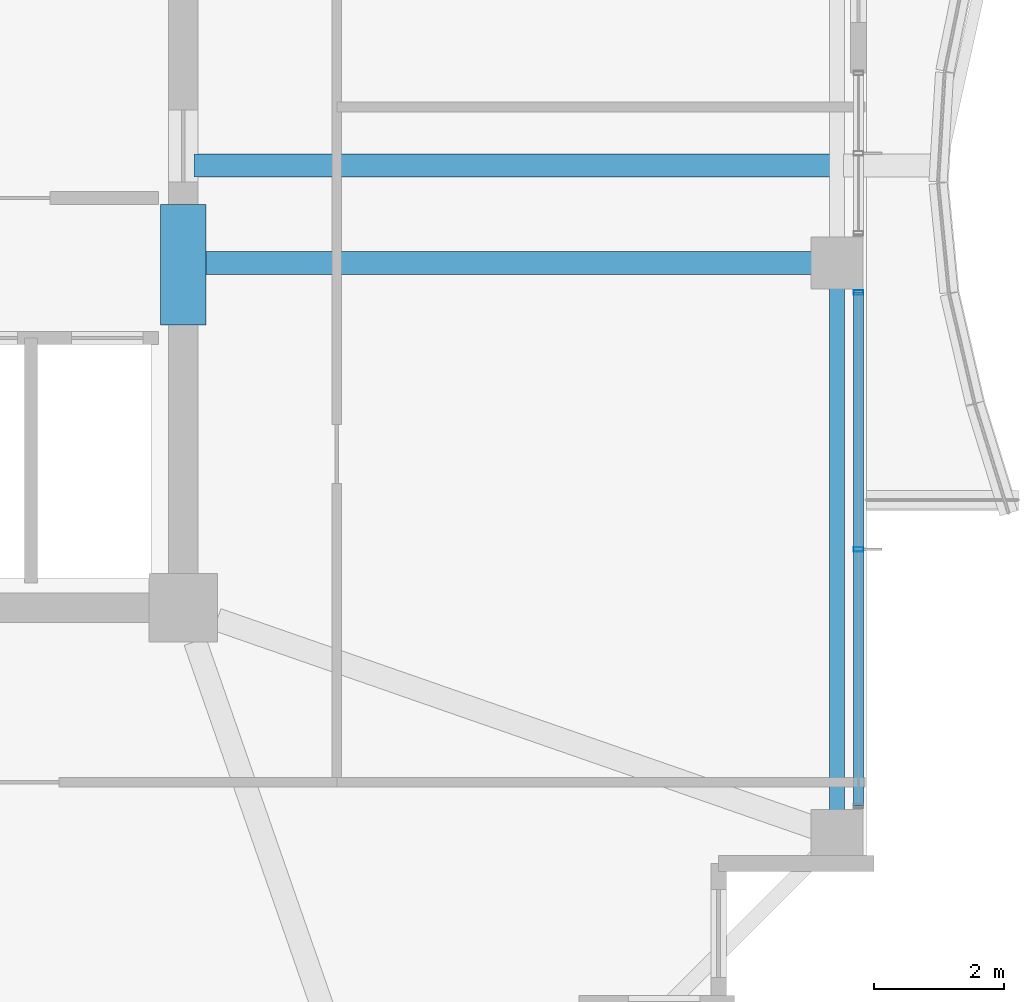
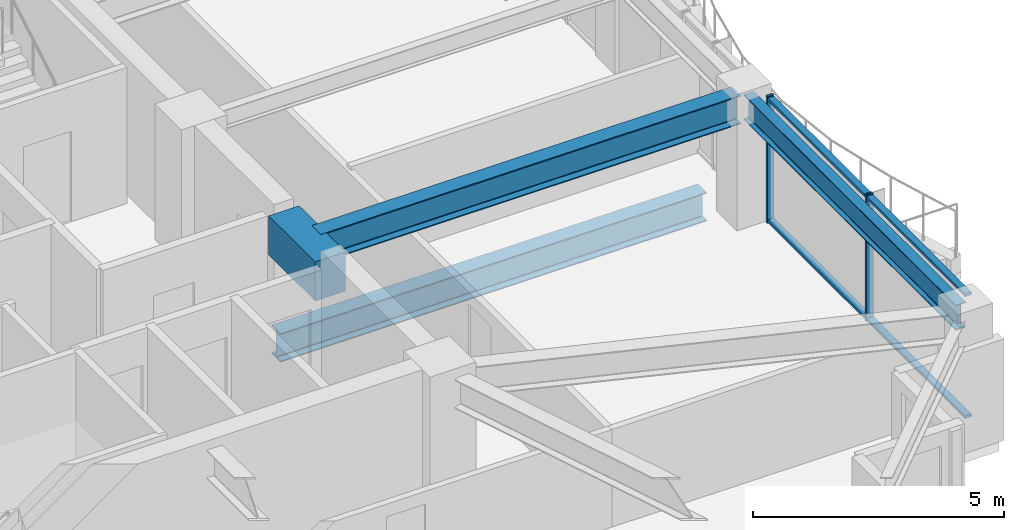
# One storey, part 12 of 34: 4 beams, 4 members, 1 element without a shape of its own.
"""IFC4 building model written with IfcOpenShell, lengths in metres."""

from ifc_helpers import new_model, si_unit, direction, frame, origin, origin_2d, place, context, subcontext, project, spatial, rectangle, hollow_rectangle, i_section, extrude, material, material_profile, profile_set, type_object, element, aggregate, save


model = new_model("IFC4")

# Units and contexts
model_context = context("Model", 3, precision=1e-05, world=origin(), true_north=direction((0.0, 1.0)))
body_context = subcontext(model_context, "Body", "Model", "MODEL_VIEW")
ifc_project = project(units=[si_unit("LENGTHUNIT", "METRE"), si_unit("AREAUNIT", "SQUARE_METRE"), si_unit("VOLUMEUNIT", "CUBIC_METRE"), si_unit("PLANEANGLEUNIT", "RADIAN"), si_unit("MASSUNIT", "GRAM", prefix="KILO")], contexts=[model_context])

# Site, building, storey
site_placement = place(None, origin())
site = spatial("IfcSite", under=ifc_project, at=site_placement, CompositionType="ELEMENT")
building_placement = place(site_placement, origin())
building = spatial("IfcBuilding", under=site, at=building_placement, Name="Kolvaren Belvedere", CompositionType="ELEMENT")
storey_placement = place(building_placement, frame((0.0, 0.0, 222.89990234375)))
storey = spatial("IfcBuildingStorey", under=building, at=storey_placement, Name="L65", CompositionType="ELEMENT", Elevation=222.89990234375)

# Beams
ifc_material_1 = material(Name="Structural steel ASTM A992 Grade 50", Category="steel")
ifc_material_profile_1 = material_profile(ifc_material_1, i_section(OverallWidth=0.35498046875, OverallDepth=0.696044921875, WebThickness=0.015380859375, FlangeThickness=0.02490234375, FilletRadius=0.02197265625, at=origin_2d()), Name="W27X146")
ifc_profile_set_1 = profile_set([ifc_material_profile_1], Name="Structural steel ASTM A992 Grade 50")
beam_type_1 = type_object("IfcBeamType", Name="BM-GIRD-W27X146", PredefinedType="BEAM", material=ifc_profile_set_1)
beam_1_placement = place(storey_placement, frame((10.06494140625, -3.10009765625, -0.56787109375), z_axis=(1.0, 0.0, 0.0), x_axis=(0.0, 1.0, 0.0)))
element("IfcBeam", 1, at=beam_1_placement, inside=storey, type_object=beam_type_1, Name="L65 Balcony Interior Back-Span Girder BAL-E-1", PredefinedType="BEAM", context=body_context, shape_type="SweptSolid", body=[
    extrude(i_section(OverallWidth=0.35498046875, OverallDepth=0.696044921875, WebThickness=0.015380859375, FlangeThickness=0.02490234375, FilletRadius=0.02197265625, at=origin_2d()), origin(), (0.0, 0.0, 1.0), 9.7900390625),
])
beam_2_placement = place(storey_placement, frame((10.125, -4.60009765625, 2.732177734375), z_axis=(1.0, 0.0, 0.0), x_axis=(0.0, 1.0, 0.0)))
element("IfcBeam", 2, at=beam_2_placement, inside=storey, type_object=beam_type_1, Name="L65 East Radial Girder M", PredefinedType="BEAM", context=body_context, shape_type="SweptSolid", body=[
    extrude(i_section(OverallWidth=0.35498046875, OverallDepth=0.696044921875, WebThickness=0.015380859375, FlangeThickness=0.02490234375, FilletRadius=0.02197265625, at=origin_2d()), origin(), (0.0, 0.0, 1.0), 9.64501953125),
])
ifc_material_2 = material(Name="Concrete C60/75", Category="concrete")
ifc_material_profile_2 = material_profile(ifc_material_2, rectangle(XDim=0.699951171875, YDim=0.949951171875, at=origin_2d()), Name="RC 700X950")
ifc_profile_set_2 = profile_set([ifc_material_profile_2], Name="Concrete C60/75")
beam_type_2 = type_object("IfcBeamType", Name="BM-LINT-950", PredefinedType="LINTEL", material=ifc_profile_set_2)
beam_3_placement = place(storey_placement, frame((9.89990234375, -5.550048828125, 2.60498046875), z_axis=(0.0, 1.0, 0.0), x_axis=(-1.0, 0.0, 0.0)))
element("IfcBeam", 3, at=beam_3_placement, inside=storey, type_object=beam_type_2, Name="L65 East Core Coupling Lintel", PredefinedType="LINTEL", context=body_context, shape_type="SweptSolid", body=[
    extrude(rectangle(XDim=0.699951171875, YDim=0.949951171875, at=origin_2d()), origin(), (0.0, 0.0, 1.0), 1.85009765625),
])
ifc_material_3 = material(Name="Structural steel ASTM A992 Grade 50", Category="steel")
ifc_material_profile_3 = material_profile(ifc_material_3, i_section(OverallWidth=0.22900390625, OverallDepth=0.612060546875, WebThickness=0.011962890625, FlangeThickness=0.01953125, FilletRadius=0.01806640625, at=origin_2d()), Name="W24X84")
ifc_profile_set_3 = profile_set([ifc_material_profile_3], Name="Structural steel ASTM A992 Grade 50")
beam_type_3 = type_object("IfcBeamType", Name="BM-SPAN-W24X84", PredefinedType="SPANDREL", material=ifc_profile_set_3)
beam_4_placement = place(storey_placement, frame((19.949951171875, -13.219970703125, 2.774169921875), z_axis=(0.0, 1.0, 0.0), x_axis=(-1.0, 0.0, 0.0)))
element("IfcBeam", 4, at=beam_4_placement, inside=storey, type_object=beam_type_3, Name="L65 Perimeter Spandrel E1-E2", PredefinedType="SPANDREL", context=body_context, shape_type="SweptSolid", body=[
    extrude(i_section(OverallWidth=0.22900390625, OverallDepth=0.612060546875, WebThickness=0.011962890625, FlangeThickness=0.01953125, FilletRadius=0.01806640625, at=origin_2d()), origin(), (0.0, 0.0, 1.0), 8.43994140625),
])

# Curtain wall, members
ifc_material_4 = material(Name="Anodised pale-metal aluminium AA 6063-T6", Category="aluminium")
curtain_wall_type = type_object("IfcCurtainWallType", Name="CW-Z5-HIGH", PredefinedType="NOTDEFINED", material=ifc_material_4)
curtain_wall_placement = place(storey_placement, origin())
curtain_wall = element("IfcCurtainWall", 5, at=curtain_wall_placement, inside=storey, type_object=curtain_wall_type, Name="L65 Unitised Curtain Wall FCW-L65-E2-B2", PredefinedType="NOTDEFINED")
ifc_material_5 = material(Name="Anodised pale-metal aluminium AA 6063-T6", Category="aluminium")
ifc_material_profile_4 = material_profile(ifc_material_5, hollow_rectangle(XDim=0.070068359375, YDim=0.14990234375, WallThickness=0.004150390625, at=origin_2d()), Name="ALU-MUL-150X70")
ifc_profile_set_4 = profile_set([ifc_material_profile_4], Name="Anodised pale-metal aluminium AA 6063-T6")
member_type_1 = type_object("IfcMemberType", Name="CW-MUL-150", PredefinedType="MULLION", material=ifc_profile_set_4)
member_1_placement = place(storey_placement, frame((20.280029296875, -5.054931640625, 0.0), z_axis=(0.0, 0.0, 1.0), x_axis=(0.0, 1.0, 0.0)))
member_1 = element("IfcMember", 6, at=member_1_placement, type_object=member_type_1, Name="FCW-L65-E2-B2 Unitised Mullion 1", PredefinedType="MULLION", context=body_context, shape_type="SweptSolid", body=[
    extrude(hollow_rectangle(XDim=0.070068359375, YDim=0.14990234375, WallThickness=0.004150390625, at=origin_2d()), origin(), (0.0, 0.0, 1.0), 3.080078125),
])
member_2_placement = place(storey_placement, frame((20.280029296875, -9.0, 0.0), z_axis=(0.0, 0.0, 1.0), x_axis=(0.0, 1.0, 0.0)))
member_2 = element("IfcMember", 7, at=member_2_placement, type_object=member_type_1, Name="FCW-L65-E2-B2 Unitised Mullion 2", PredefinedType="MULLION", context=body_context, shape_type="SweptSolid", body=[
    extrude(hollow_rectangle(XDim=0.070068359375, YDim=0.14990234375, WallThickness=0.004150390625, at=origin_2d()), origin(), (0.0, 0.0, 1.0), 3.080078125),
])
ifc_material_6 = material(Name="Anodised pale-metal aluminium AA 6063-T6", Category="aluminium")
ifc_material_profile_5 = material_profile(ifc_material_6, hollow_rectangle(XDim=0.06494140625, YDim=0.14990234375, WallThickness=0.00390625, at=origin_2d()), Name="ALU-TRN-150X65")
ifc_profile_set_5 = profile_set([ifc_material_profile_5], Name="Anodised pale-metal aluminium AA 6063-T6")
member_type_2 = type_object("IfcMemberType", Name="CW-TRN-150", PredefinedType="USERDEFINED", material=ifc_profile_set_5)
member_3_placement = place(storey_placement, frame((20.280029296875, -5.054931640625, 0.06005859375), z_axis=(0.0, -1.0, 0.0), x_axis=(0.0, 0.0, 1.0)))
member_3 = element("IfcMember", 8, at=member_3_placement, type_object=member_type_2, Name="FCW-L65-E2-B2 Sill Transom", ObjectType="TRANSOM", PredefinedType="USERDEFINED", context=body_context, shape_type="SweptSolid", body=[
    extrude(hollow_rectangle(XDim=0.06494140625, YDim=0.14990234375, WallThickness=0.00390625, at=origin_2d()), origin(), (0.0, 0.0, 1.0), 7.89013671875),
])
member_4_placement = place(storey_placement, frame((20.280029296875, -5.054931640625, 3.02001953125), z_axis=(0.0, -1.0, 0.0), x_axis=(0.0, 0.0, 1.0)))
member_4 = element("IfcMember", 9, at=member_4_placement, type_object=member_type_2, Name="FCW-L65-E2-B2 Head Transom", ObjectType="TRANSOM", PredefinedType="USERDEFINED", context=body_context, shape_type="SweptSolid", body=[
    extrude(hollow_rectangle(XDim=0.06494140625, YDim=0.14990234375, WallThickness=0.00390625, at=origin_2d()), origin(), (0.0, 0.0, 1.0), 7.89013671875),
])
aggregate(curtain_wall, [member_1, member_2, member_3, member_4])

save(model, "model.ifc")
